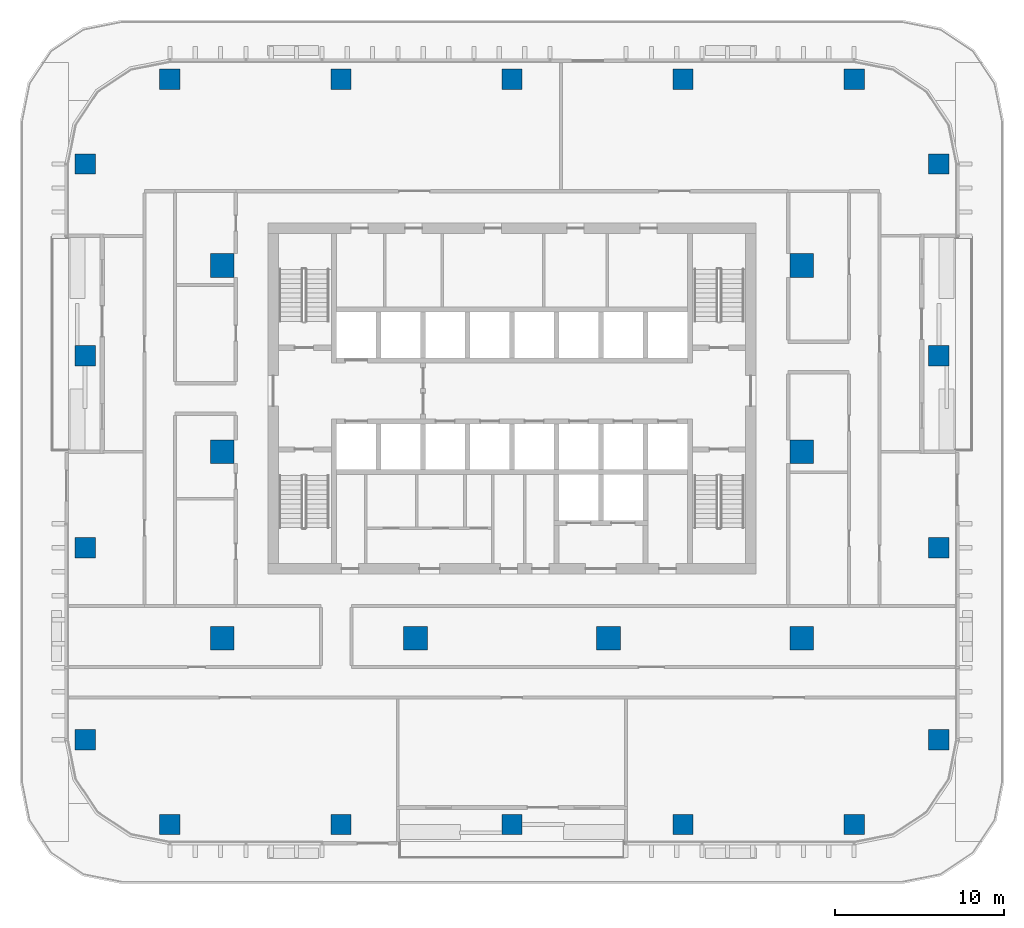
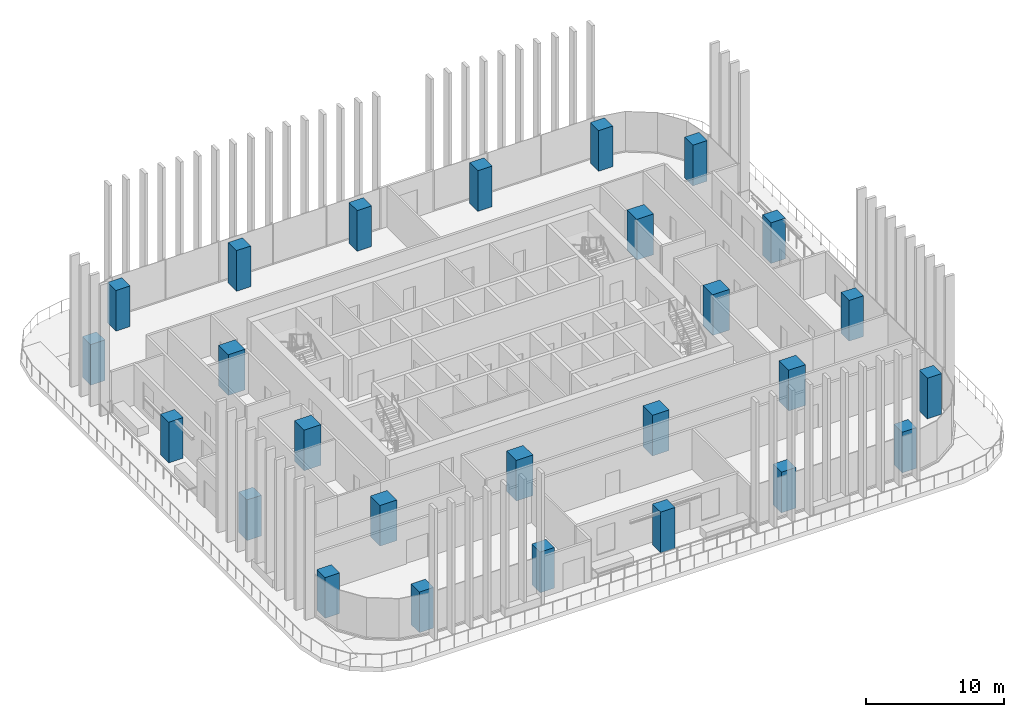
# One storey, part 1 of 16: 26 columns.
"""IFC4 building model written with IfcOpenShell, lengths in metres."""

from ifc_helpers import new_model, si_unit, direction, frame, origin, origin_2d, place, context, subcontext, project, spatial, rectangle, extrude, material, material_profile, profile_set, type_object, element, save


model = new_model("IFC4")

# Units and contexts
model_context = context("Model", 3, precision=1e-05, world=origin(), true_north=direction((0.0, 1.0)))
body_context = subcontext(model_context, "Body", "Model", "MODEL_VIEW")
ifc_project = project(units=[si_unit("LENGTHUNIT", "METRE"), si_unit("AREAUNIT", "SQUARE_METRE"), si_unit("VOLUMEUNIT", "CUBIC_METRE"), si_unit("PLANEANGLEUNIT", "RADIAN"), si_unit("MASSUNIT", "GRAM", prefix="KILO")], contexts=[model_context])

# Site, building, storey
site_placement = place(None, origin())
site = spatial("IfcSite", under=ifc_project, at=site_placement, CompositionType="ELEMENT")
building_placement = place(site_placement, origin())
building = spatial("IfcBuilding", under=site, at=building_placement, Name="Mopane Tessera Tower", CompositionType="ELEMENT")
storey_placement = place(building_placement, frame((0.0, 0.0, 157.0)))
storey = spatial("IfcBuildingStorey", under=building, at=storey_placement, Name="L31", CompositionType="ELEMENT", Elevation=157.0)

# Columns
ifc_material_1 = material(Name="Concrete C50/60", Category="concrete")
ifc_material_profile_1 = material_profile(ifc_material_1, rectangle(XDim=1.39990234375, YDim=1.39990234375, at=origin_2d()))
ifc_profile_set_1 = profile_set([ifc_material_profile_1], Name="Concrete C50/60")
column_type_1 = type_object("IfcColumnType", Name="Interior column 1400 x 1400 C50/60", PredefinedType="COLUMN", material=ifc_profile_set_1)
for number, where, z_axis, x_axis, name in (
    (1, (-17.10009765625, -11.0, 0.0), (0.0, 0.0, 1.0), (1.0, 0.0, 0.0), "Interior column I1A L31"),
    (2, (-17.10009765625, 0.0, 0.0), (0.0, 0.0, 1.0), (1.0, 0.0, 0.0), "Interior column I1B L31"),
    (3, (-17.10009765625, 11.0, 0.0), (0.0, 0.0, 1.0), (1.0, 0.0, 0.0), "Interior column I1C L31"),
    (4, (-5.699951171875, -11.0, 0.0), (0.0, 0.0, 1.0), (1.0, 0.0, 0.0), "Interior column I2A L31"),
    (5, (5.699951171875, -11.0, 0.0), (0.0, 0.0, 1.0), (1.0, 0.0, 0.0), "Interior column I3A L31"),
    (6, (17.10009765625, -11.0, 0.0), (0.0, 0.0, 1.0), (1.0, 0.0, 0.0), "Interior column I4A L31"),
    (7, (17.10009765625, 0.0, 0.0), (0.0, 0.0, 1.0), (1.0, 0.0, 0.0), "Interior column I4B L31"),
    (8, (17.10009765625, 11.0, 0.0), (0.0, 0.0, 1.0), (1.0, 0.0, 0.0), "Interior column I4C L31"),
):
    element("IfcColumn", number, at=place(storey_placement, frame(where, z_axis=z_axis, x_axis=x_axis)), inside=storey, type_object=column_type_1, Name=name, PredefinedType="COLUMN", context=body_context, shape_type="SweptSolid", body=[
        extrude(rectangle(XDim=1.39990234375, YDim=1.39990234375, at=origin_2d()), origin(), (0.0, 0.0, 1.0), 3.60009765625),
    ])
ifc_material_2 = material(Name="Concrete C50/60", Category="concrete")
ifc_material_profile_2 = material_profile(ifc_material_2, rectangle(XDim=1.199951171875, YDim=1.199951171875, at=origin_2d()))
ifc_profile_set_2 = profile_set([ifc_material_profile_2], Name="Concrete C50/60")
column_type_2 = type_object("IfcColumnType", Name="Ring column 1200 x 1200 C50/60", PredefinedType="COLUMN", material=ifc_profile_set_2)
for number, where, z_axis, x_axis, name in (
    (9, (-20.199951171875, -22.0, 0.0), (0.0, 0.0, 1.0), (1.0, 0.0, 0.0), "Ring column S0 L31"),
    (10, (-10.10009765625, -22.0, 0.0), (0.0, 0.0, 1.0), (1.0, 0.0, 0.0), "Ring column S1 L31"),
    (11, (0.0, -22.0, 0.0), (0.0, 0.0, 1.0), (1.0, 0.0, 0.0), "Ring column S2 L31"),
    (12, (10.10009765625, -22.0, 0.0), (0.0, 0.0, 1.0), (1.0, 0.0, 0.0), "Ring column S3 L31"),
    (13, (20.199951171875, -22.0, 0.0), (0.0, 0.0, 1.0), (1.0, 0.0, 0.0), "Ring column S4 L31"),
    (14, (25.199951171875, -17.0, 0.0), (0.0, 0.0, 1.0), (1.0, 0.0, 0.0), "Ring column E0 L31"),
    (15, (25.199951171875, -5.666748046875, 0.0), (0.0, 0.0, 1.0), (1.0, 0.0, 0.0), "Ring column E1 L31"),
    (16, (25.199951171875, 5.666748046875, 0.0), (0.0, 0.0, 1.0), (1.0, 0.0, 0.0), "Ring column E2 L31"),
    (17, (25.199951171875, 17.0, 0.0), (0.0, 0.0, 1.0), (1.0, 0.0, 0.0), "Ring column E3 L31"),
    (18, (20.199951171875, 22.0, 0.0), (0.0, 0.0, 1.0), (1.0, 0.0, 0.0), "Ring column N0 L31"),
    (19, (10.10009765625, 22.0, 0.0), (0.0, 0.0, 1.0), (1.0, 0.0, 0.0), "Ring column N1 L31"),
    (20, (0.0, 22.0, 0.0), (0.0, 0.0, 1.0), (1.0, 0.0, 0.0), "Ring column N2 L31"),
    (21, (-10.10009765625, 22.0, 0.0), (0.0, 0.0, 1.0), (1.0, 0.0, 0.0), "Ring column N3 L31"),
    (22, (-20.199951171875, 22.0, 0.0), (0.0, 0.0, 1.0), (1.0, 0.0, 0.0), "Ring column N4 L31"),
    (23, (-25.199951171875, 17.0, 0.0), (0.0, 0.0, 1.0), (1.0, 0.0, 0.0), "Ring column W0 L31"),
    (24, (-25.199951171875, 5.666748046875, 0.0), (0.0, 0.0, 1.0), (1.0, 0.0, 0.0), "Ring column W1 L31"),
    (25, (-25.199951171875, -5.666748046875, 0.0), (0.0, 0.0, 1.0), (1.0, 0.0, 0.0), "Ring column W2 L31"),
    (26, (-25.199951171875, -17.0, 0.0), (0.0, 0.0, 1.0), (1.0, 0.0, 0.0), "Ring column W3 L31"),
):
    element("IfcColumn", number, at=place(storey_placement, frame(where, z_axis=z_axis, x_axis=x_axis)), inside=storey, type_object=column_type_2, Name=name, PredefinedType="COLUMN", context=body_context, shape_type="SweptSolid", body=[
        extrude(rectangle(XDim=1.199951171875, YDim=1.199951171875, at=origin_2d()), origin(), (0.0, 0.0, 1.0), 3.60009765625),
    ])

save(model, "model.ifc")
